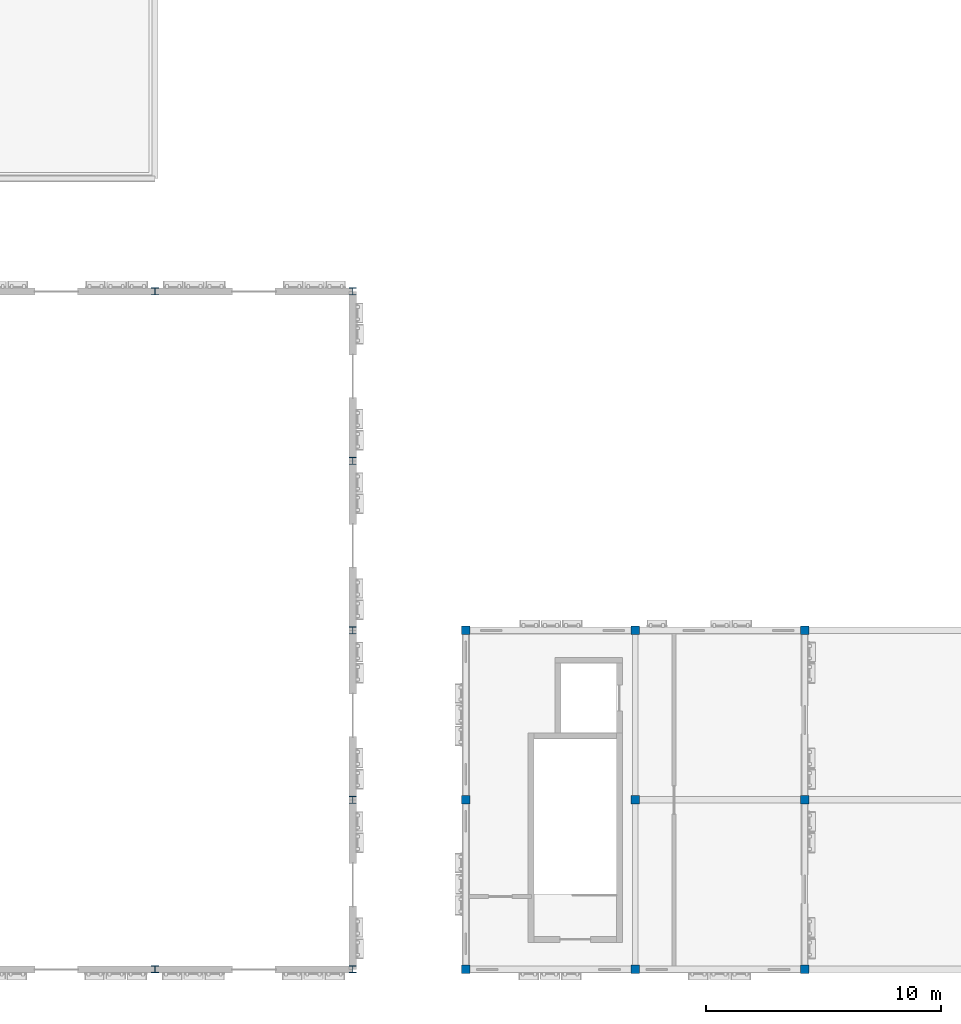
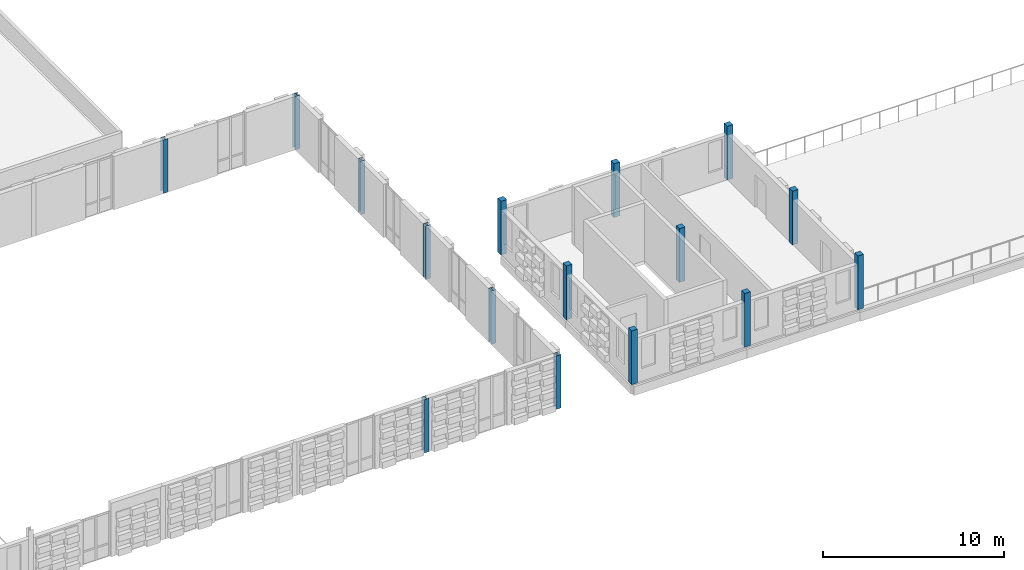
# One storey, part 2 of 57: 16 columns.
"""IFC4 building model written with IfcOpenShell, lengths in metres."""

from ifc_helpers import new_model, si_unit, direction, frame, origin, origin_2d, place, context, subcontext, project, spatial, rectangle, i_section, extrude, material, material_profile, profile_set, type_object, element, save


model = new_model("IFC4")

# Units and contexts
model_context = context("Model", 3, precision=1e-05, world=origin(), true_north=direction((0.0, 1.0)))
body_context = subcontext(model_context, "Body", "Model", "MODEL_VIEW")
ifc_project = project(units=[si_unit("LENGTHUNIT", "METRE"), si_unit("AREAUNIT", "SQUARE_METRE"), si_unit("VOLUMEUNIT", "CUBIC_METRE"), si_unit("PLANEANGLEUNIT", "RADIAN"), si_unit("MASSUNIT", "GRAM", prefix="KILO")], contexts=[model_context])

# Site, building, storey
site_placement = place(None, origin())
site = spatial("IfcSite", under=ifc_project, at=site_placement, CompositionType="ELEMENT")
building_placement = place(site_placement, origin())
building = spatial("IfcBuilding", under=site, at=building_placement, Name="Kahlenmark Community Centre", CompositionType="ELEMENT")
storey_placement = place(building_placement, frame((0.0, 0.0, 13.800048828125)))
storey = spatial("IfcBuildingStorey", under=building, at=storey_placement, Name="L03", CompositionType="ELEMENT", Elevation=13.800048828125)

# Columns
ifc_material_1 = material(Name="Glulam GL32h", Category="wood")
ifc_material_profile_1 = material_profile(ifc_material_1, rectangle(XDim=0.360107421875, YDim=0.360107421875, at=origin_2d()), Name="GL32h 360x360")
ifc_profile_set_1 = profile_set([ifc_material_profile_1], Name="Glulam GL32h")
column_type_1 = type_object("IfcColumnType", Name="CT-GL360", PredefinedType="COLUMN", material=ifc_profile_set_1)
for number, where, z_axis, x_axis, name in (
    (1, (50.800048828125, 8.800048828125, 0.0), (0.0, 0.0, 1.0), (1.0, 0.0, 0.0), "Roof pavilion column (50.8, 8.8)"),
    (2, (50.800048828125, 16.0, 0.0), (0.0, 0.0, 1.0), (1.0, 0.0, 0.0), "Roof pavilion column (50.8, 16.0)"),
    (3, (50.800048828125, 23.199951171875, 0.0), (0.0, 0.0, 1.0), (1.0, 0.0, 0.0), "Roof pavilion column (50.8, 23.2)"),
    (4, (58.0, 8.800048828125, 0.0), (0.0, 0.0, 1.0), (1.0, 0.0, 0.0), "Roof pavilion column (58.0, 8.8)"),
    (5, (58.0, 16.0, 0.0), (0.0, 0.0, 1.0), (1.0, 0.0, 0.0), "Roof pavilion column (58.0, 16.0)"),
    (6, (58.0, 23.199951171875, 0.0), (0.0, 0.0, 1.0), (1.0, 0.0, 0.0), "Roof pavilion column (58.0, 23.2)"),
    (7, (65.199951171875, 8.800048828125, 0.0), (0.0, 0.0, 1.0), (1.0, 0.0, 0.0), "Roof pavilion column (65.2, 8.8)"),
    (8, (65.199951171875, 16.0, 0.0), (0.0, 0.0, 1.0), (1.0, 0.0, 0.0), "Roof pavilion column (65.2, 16.0)"),
    (9, (65.199951171875, 23.199951171875, 0.0), (0.0, 0.0, 1.0), (1.0, 0.0, 0.0), "Roof pavilion column (65.2, 23.2)"),
):
    element("IfcColumn", number, at=place(storey_placement, frame(where, z_axis=z_axis, x_axis=x_axis)), inside=storey, type_object=column_type_1, Name=name, PredefinedType="COLUMN", context=body_context, shape_type="SweptSolid", body=[
        extrude(rectangle(XDim=0.360107421875, YDim=0.360107421875, at=origin_2d()), origin(), (0.0, 0.0, 1.0), 3.619873046875),
    ])
ifc_material_2 = material(Name="Steel S355", Category="steel")
ifc_material_profile_2 = material_profile(ifc_material_2, i_section(OverallWidth=0.300048828125, OverallDepth=0.300048828125, WebThickness=0.010986328125, FlangeThickness=0.01904296875, at=origin_2d()), Name="HEB 300")
ifc_profile_set_2 = profile_set([ifc_material_profile_2], Name="Steel S355")
column_type_2 = type_object("IfcColumnType", Name="CT-HEB300", PredefinedType="COLUMN", material=ifc_profile_set_2)
for number, where, z_axis, x_axis, name in (
    (10, (37.60009765625, 8.800048828125, 0.0), (0.0, 0.0, 1.0), (1.0, 0.0, 0.0), "L03 column (37.6, 8.8)"),
    (11, (37.60009765625, 37.60009765625, 0.0), (0.0, 0.0, 1.0), (1.0, 0.0, 0.0), "L03 column (37.6, 37.6)"),
    (12, (46.0, 8.800048828125, 0.0), (0.0, 0.0, 1.0), (1.0, 0.0, 0.0), "L03 column (46.0, 8.8)"),
    (13, (46.0, 16.0, 0.0), (0.0, 0.0, 1.0), (1.0, 0.0, 0.0), "L03 column (46.0, 16.0)"),
    (14, (46.0, 23.199951171875, 0.0), (0.0, 0.0, 1.0), (1.0, 0.0, 0.0), "L03 column (46.0, 23.2)"),
    (15, (46.0, 30.39990234375, 0.0), (0.0, 0.0, 1.0), (1.0, 0.0, 0.0), "L03 column (46.0, 30.4)"),
    (16, (46.0, 37.60009765625, 0.0), (0.0, 0.0, 1.0), (1.0, 0.0, 0.0), "L03 column (46.0, 37.6)"),
):
    element("IfcColumn", number, at=place(storey_placement, frame(where, z_axis=z_axis, x_axis=x_axis)), inside=storey, type_object=column_type_2, Name=name, PredefinedType="COLUMN", context=body_context, shape_type="SweptSolid", body=[
        extrude(i_section(OverallWidth=0.300048828125, OverallDepth=0.300048828125, WebThickness=0.010986328125, FlangeThickness=0.01904296875, at=origin_2d()), origin(), (0.0, 0.0, 1.0), 3.599853515625),
    ])

save(model, "model.ifc")
